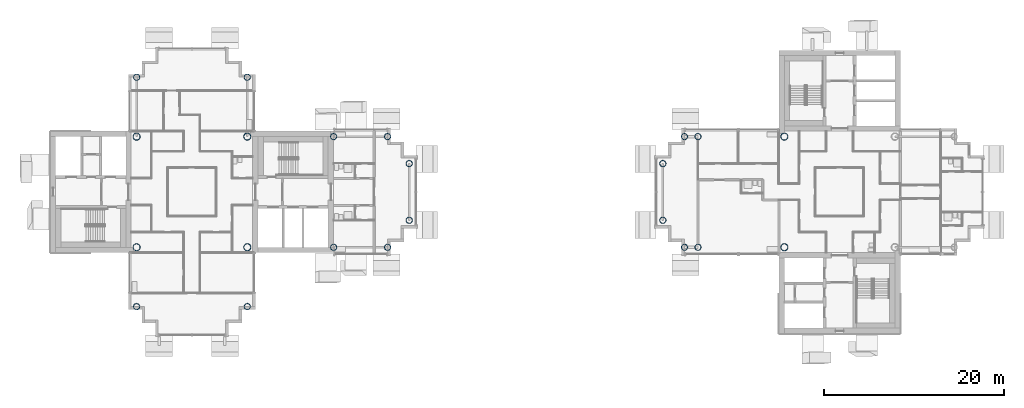
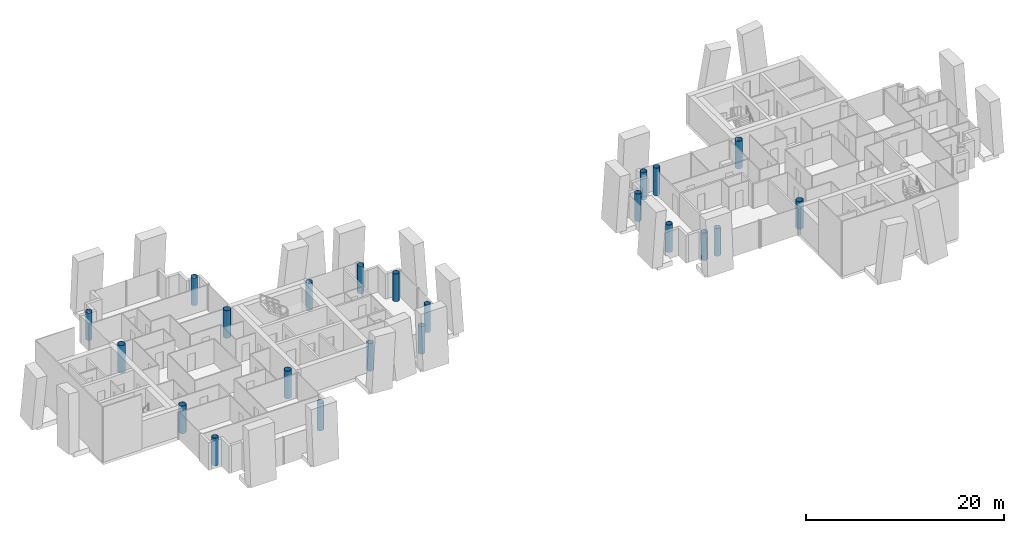
# One storey, part 1 of 19: 22 columns.
"""IFC4 building model written with IfcOpenShell, lengths in metres."""

import ifcopenshell
import ifcopenshell.guid

model = None  # the IFC model being written
_history = None  # IfcOwnerHistory: only IFC2X3 demands one
_inside = {}  # id of a spatial element -> (the spatial element, [elements in it])
_under = {}  # id of a project, library or spatial element -> (it, [spatial elements below it])
_declared = {}  # id of a project -> (the project, [libraries it declares])
_typed = {}  # id of a type object -> (the type object, [elements of that type])
_made_of = {}  # id of a material, layer set ... -> (it, [elements and type objects made of it])


def new_model(schema):
    """Start an empty IFC model of exactly this schema.

    Asked for "IFC4X3", IfcOpenShell would pick the latest addendum, in which some entities
    have other attributes; the version numbers below select the first issue.
    IFC2X3 requires an IfcOwnerHistory on every rooted entity: one is made here for all.
    """
    global model, _history
    if schema == "IFC4X3":
        model = ifcopenshell.file(schema_version=(4, 3, 0, 0))
    else:
        model = ifcopenshell.file(schema=schema)
    _inside.clear()
    _under.clear()
    _declared.clear()
    _typed.clear()
    _made_of.clear()
    _history = None
    if model.schema == "IFC2X3":
        org = make("IfcOrganization", Name="unknown")
        user = make(
            "IfcPersonAndOrganization",
            ThePerson=make("IfcPerson", FamilyName="unknown"),
            TheOrganization=org,
        )
        app = make(
            "IfcApplication",
            ApplicationDeveloper=org,
            Version="unknown",
            ApplicationFullName="unknown",
            ApplicationIdentifier="unknown",
        )
        _history = make(
            "IfcOwnerHistory",
            OwningUser=user,
            OwningApplication=app,
            ChangeAction="ADDED",
            CreationDate=0,
        )
    return model


def make(cls, **values):
    """One entity of the class cls with the attributes given. An attribute that is None is left unset."""
    return model.create_entity(
        cls, **{name: value for name, value in values.items() if value is not None}
    )


def rooted(cls, **values):
    """An entity with a GlobalId (a new one), such as an element, a storey or a relation."""
    return make(cls, GlobalId=ifcopenshell.guid.new(), OwnerHistory=_history, **values)


def si_unit(unit_type, name, prefix=None):
    """IfcSIUnit, for example si_unit("LENGTHUNIT", "METRE", prefix="MILLI")."""
    return make("IfcSIUnit", UnitType=unit_type, Prefix=prefix, Name=name)


def assignment(units):
    """IfcUnitAssignment: the units of a project."""
    return None if units is None else make("IfcUnitAssignment", Units=units)


def point(xyz):
    """IfcCartesianPoint."""
    return None if xyz is None else make("IfcCartesianPoint", Coordinates=xyz)


def direction(xyz):
    """IfcDirection."""
    return None if xyz is None else make("IfcDirection", DirectionRatios=xyz)


def frame(location, z_axis=None, x_axis=None):
    """IfcAxis2Placement3D, a coordinate frame: its origin and axes. An axis left out is left unset."""
    return make(
        "IfcAxis2Placement3D",
        Location=point(location),
        Axis=direction(z_axis),
        RefDirection=direction(x_axis),
    )


def frame_2d(location, x_axis=None):
    """IfcAxis2Placement2D, a coordinate frame in the plane: its origin and x axis."""
    return make(
        "IfcAxis2Placement2D", Location=point(location), RefDirection=direction(x_axis)
    )


def origin():
    """The frame at (0, 0, 0) with its axes left unset."""
    return frame((0.0, 0.0, 0.0))


def origin_2d():
    """The frame at (0, 0) in the plane with its x axis left unset."""
    return frame_2d((0.0, 0.0))


def place(relative_to, where):
    """IfcLocalPlacement: puts the frame where relative to a parent placement (None: the world)."""
    return make(
        "IfcLocalPlacement", PlacementRelTo=relative_to, RelativePlacement=where
    )


def context(
    kind, dimensions, precision=None, world=None, true_north=None, identifier=None
):
    """IfcGeometricRepresentationContext, for example the 3D "Model" context."""
    return make(
        "IfcGeometricRepresentationContext",
        ContextIdentifier=identifier,
        ContextType=kind,
        CoordinateSpaceDimension=dimensions,
        Precision=precision,
        WorldCoordinateSystem=world,
        TrueNorth=true_north,
    )


def subcontext(parent, identifier, kind, view, scale=None):
    """IfcGeometricRepresentationSubContext, for example "Body" below "Model"."""
    return make(
        "IfcGeometricRepresentationSubContext",
        ContextIdentifier=identifier,
        ContextType=kind,
        ParentContext=parent,
        TargetScale=scale,
        TargetView=view,
    )


def project(units=None, contexts=None):
    """IfcProject with its units and contexts."""
    return rooted(
        "IfcProject",
        Name="project",
        RepresentationContexts=contexts,
        UnitsInContext=assignment(units),
    )


def spatial(cls, under=None, at=None, **own):
    """A site, building, storey or space (cls), placed at a placement, below another one or the project."""
    s = rooted(cls, ObjectPlacement=at, **own)
    if under is not None:
        _under.setdefault(under.id(), (under, []))[1].append(s)
    return s


def profile(cls, at=None, kind="AREA", **sizes):
    """A parametric profile (cls). Its sizes go by their IFC names, for example OverallWidth=200.0."""
    return make(cls, ProfileType=kind, Position=at, **sizes)


def hollow_circle(**sizes):
    """IfcCircleHollowProfileDef."""
    return profile("IfcCircleHollowProfileDef", **sizes)


def extrude(swept, where, along, depth):
    """IfcExtrudedAreaSolid: the profile swept, set in the frame where, extruded along a direction by depth."""
    return make(
        "IfcExtrudedAreaSolid",
        SweptArea=swept,
        Position=where,
        ExtrudedDirection=direction(along),
        Depth=depth,
    )


def shape(context_of_items, identifier, shape_type, items):
    """IfcShapeRepresentation: the items that make up one representation, for example the "Body"."""
    return make(
        "IfcShapeRepresentation",
        ContextOfItems=context_of_items,
        RepresentationIdentifier=identifier,
        RepresentationType=shape_type,
        Items=items,
    )


def material(Name=None, Category=None):
    """IfcMaterial."""
    return make("IfcMaterial", Name=Name, Category=Category)


def material_profile(
    of_material, cross_section, Name=None, Category=None, Priority=None
):
    """IfcMaterialProfile: a cross section and its material."""
    return make(
        "IfcMaterialProfile",
        Name=Name,
        Material=of_material,
        Profile=cross_section,
        Priority=Priority,
        Category=Category,
    )


def profile_set(profiles, Name=None, composite=None):
    """IfcMaterialProfileSet."""
    return make(
        "IfcMaterialProfileSet",
        Name=Name,
        MaterialProfiles=profiles,
        CompositeProfile=composite,
    )


def made_of(thing, what):
    """Note that an element or type object is made of a material, layer set ...; save() writes the relation."""
    if what is not None:
        _made_of.setdefault(what.id(), (what, []))[1].append(thing)
    return thing


def type_object(cls, material=None, **own):
    """A type object (cls), such as IfcWallType, which elements share."""
    return made_of(rooted(cls, **own), material)


def element(
    cls,
    number,
    at=None,
    inside=None,
    cuts=None,
    type_object=None,
    material=None,
    context=None,
    identifier="Body",
    shape_type=None,
    held_by="IfcProductDefinitionShape",
    body=None,
    shapes=None,
    **own,
):
    """One element of the class cls, such as IfcWall. Its Tag is "e" and its number.

    at: its placement. inside: the storey or other place that contains it. cuts: it is an
    opening in that element (IfcRelVoidsElement). A single representation is given by context,
    identifier, shape_type and body (its items); several are given by shapes. held_by: the class
    of the entity that holds the representations. save() writes the other relations.
    """
    e = rooted(cls, Tag="e%d" % number, ObjectPlacement=at, **own)
    if body is not None:
        shapes = [shape(context, identifier, shape_type, body)]
    if shapes is not None:
        e.Representation = make(held_by, Representations=shapes)
    if inside is not None:
        _inside.setdefault(inside.id(), (inside, []))[1].append(e)
    if cuts is not None:
        rooted(
            "IfcRelVoidsElement", RelatingBuildingElement=cuts, RelatedOpeningElement=e
        )
    if type_object is not None:
        _typed.setdefault(type_object.id(), (type_object, []))[1].append(e)
    return made_of(e, material)


def aggregate(whole, parts):
    """IfcRelAggregates: a whole, such as a stair, and the parts it consists of."""
    return rooted("IfcRelAggregates", RelatingObject=whole, RelatedObjects=parts)


def save(model, path):
    """Write the relations noted so far, then the file.

    IfcRelAggregates (storeys below a building ...), IfcRelContainedInSpatialStructure (elements
    in a storey), IfcRelDefinesByType, IfcRelAssociatesMaterial and IfcRelDeclares: one each for
    every whole, place, type object, material and project.
    """
    for whole, parts in _under.values():
        aggregate(whole, parts)
    for where, things in _inside.values():
        rooted(
            "IfcRelContainedInSpatialStructure",
            RelatedElements=things,
            RelatingStructure=where,
        )
    for kind, things in _typed.values():
        rooted("IfcRelDefinesByType", RelatedObjects=things, RelatingType=kind)
    for what, things in _made_of.values():
        rooted("IfcRelAssociatesMaterial", RelatedObjects=things, RelatingMaterial=what)
    for by, libraries in _declared.values():
        rooted("IfcRelDeclares", RelatingContext=by, RelatedDefinitions=libraries)
    model.write(path)


model = new_model("IFC4")

# Units and contexts
model_context = context("Model", 3, precision=1e-05, world=origin(), true_north=direction((0.0, 1.0)))
body_context = subcontext(model_context, "Body", "Model", "MODEL_VIEW")
ifc_project = project(units=[si_unit("LENGTHUNIT", "METRE"), si_unit("AREAUNIT", "SQUARE_METRE"), si_unit("VOLUMEUNIT", "CUBIC_METRE"), si_unit("PLANEANGLEUNIT", "RADIAN"), si_unit("MASSUNIT", "GRAM", prefix="KILO")], contexts=[model_context])

# Site, building, storey
site_placement = place(None, origin())
site = spatial("IfcSite", under=ifc_project, at=site_placement, CompositionType="ELEMENT")
building_placement = place(site_placement, origin())
building = spatial("IfcBuilding", under=site, at=building_placement, Name="Ipe Terrace Towers", CompositionType="ELEMENT")
storey_placement = place(building_placement, frame((0.0, 0.0, 189.199951171875)))
storey = spatial("IfcBuildingStorey", under=building, at=storey_placement, Name="L52", CompositionType="ELEMENT", Elevation=189.199951171875)

# Columns
ifc_material_1 = material(Name="Steel S355 tube with Concrete C60/75 fill", Category="concrete")
ifc_material_profile_1 = material_profile(ifc_material_1, hollow_circle(Radius=0.35009765625, WallThickness=0.02490234375, at=origin_2d()), Name="CHS-700x25")
ifc_profile_set_1 = profile_set([ifc_material_profile_1], Name="Steel S355 tube with Concrete C60/75 fill")
column_type_1 = type_object("IfcColumnType", Name="CH08 COLUMN CHS-700x25", PredefinedType="COLUMN", material=ifc_profile_set_1)
for number, where, z_axis, x_axis, name in (
    (1, (-20.25, -6.14990234375, 0.0), (0.0, 0.0, 1.0), (1.0, 0.0, 0.0), "Column T1-C-A01"),
    (2, (-20.25, 6.14990234375, 0.0), (0.0, 0.0, 1.0), (1.0, 0.0, 0.0), "Column T1-C-A02"),
    (3, (-14.25, -6.14990234375, 0.0), (0.0, 0.0, 1.0), (1.0, 0.0, 0.0), "Column T1-C-A03"),
    (4, (-14.25, 6.14990234375, 0.0), (0.0, 0.0, 1.0), (1.0, 0.0, 0.0), "Column T1-C-A04"),
    (5, (-11.85009765625, -3.14990234375, 0.0), (0.0, 0.0, 1.0), (1.0, 0.0, 0.0), "Column T1-C-A05"),
    (6, (-11.85009765625, 3.14990234375, 0.0), (0.0, 0.0, 1.0), (1.0, 0.0, 0.0), "Column T1-C-A06"),
    (7, (-29.85009765625, 12.75, 0.0), (0.0, 0.0, 1.0), (1.0, 0.0, 0.0), "Column T1-C-B01"),
    (8, (-42.14990234375, 12.75, 0.0), (0.0, 0.0, 1.0), (1.0, 0.0, 0.0), "Column T1-C-B02"),
    (9, (-42.14990234375, -12.75, 0.0), (0.0, 0.0, 1.0), (1.0, 0.0, 0.0), "Column T1-C-D01"),
    (10, (-29.85009765625, -12.75, 0.0), (0.0, 0.0, 1.0), (1.0, 0.0, 0.0), "Column T1-C-D02"),
    (11, (20.25, 6.14990234375, 0.0), (0.0, 0.0, 1.0), (1.0, 0.0, 0.0), "Column T2-C-B03"),
    (12, (20.25, -6.14990234375, 0.0), (0.0, 0.0, 1.0), (1.0, 0.0, 0.0), "Column T2-C-B04"),
    (13, (18.75, 6.14990234375, 0.0), (0.0, 0.0, 1.0), (1.0, 0.0, 0.0), "Column T2-C-B05"),
    (14, (18.75, -6.14990234375, 0.0), (0.0, 0.0, 1.0), (1.0, 0.0, 0.0), "Column T2-C-B06"),
    (15, (16.35009765625, 3.14990234375, 0.0), (0.0, 0.0, 1.0), (1.0, 0.0, 0.0), "Column T2-C-B07"),
    (16, (16.35009765625, -3.14990234375, 0.0), (0.0, 0.0, 1.0), (1.0, 0.0, 0.0), "Column T2-C-B08"),
):
    element("IfcColumn", number, at=place(storey_placement, frame(where, z_axis=z_axis, x_axis=x_axis)), inside=storey, type_object=column_type_1, Name=name, PredefinedType="COLUMN", context=body_context, shape_type="SweptSolid", body=[
        extrude(hollow_circle(Radius=0.35009765625, WallThickness=0.02490234375, at=origin_2d()), origin(), (0.0, 0.0, 1.0), 3.400146484375),
    ])
ifc_material_2 = material(Name="Steel S355 tube with Concrete C60/75 fill", Category="concrete")
ifc_material_profile_2 = material_profile(ifc_material_2, hollow_circle(Radius=0.39990234375, WallThickness=0.028076171875, at=origin_2d()), Name="CHS-800x28")
ifc_profile_set_2 = profile_set([ifc_material_profile_2], Name="Steel S355 tube with Concrete C60/75 fill")
column_type_2 = type_object("IfcColumnType", Name="CH09 COLUMN CHS-800x28", PredefinedType="COLUMN", material=ifc_profile_set_2)
for number, where, z_axis, x_axis, name in (
    (17, (-42.14990234375, -6.14990234375, 0.0), (0.0, 0.0, 1.0), (1.0, 0.0, 0.0), "Column T1-C-E01"),
    (18, (-29.85009765625, -6.14990234375, 0.0), (0.0, 0.0, 1.0), (1.0, 0.0, 0.0), "Column T1-C-E02"),
    (19, (-29.85009765625, 6.14990234375, 0.0), (0.0, 0.0, 1.0), (1.0, 0.0, 0.0), "Column T1-C-E03"),
    (20, (-42.14990234375, 6.14990234375, 0.0), (0.0, 0.0, 1.0), (1.0, 0.0, 0.0), "Column T1-C-E04"),
    (21, (29.85009765625, 6.14990234375, 0.0), (0.0, 0.0, 1.0), (1.0, 0.0, 0.0), "Column T2-C-E03"),
    (22, (29.85009765625, -6.14990234375, 0.0), (0.0, 0.0, 1.0), (1.0, 0.0, 0.0), "Column T2-C-E04"),
):
    element("IfcColumn", number, at=place(storey_placement, frame(where, z_axis=z_axis, x_axis=x_axis)), inside=storey, type_object=column_type_2, Name=name, PredefinedType="COLUMN", context=body_context, shape_type="SweptSolid", body=[
        extrude(hollow_circle(Radius=0.39990234375, WallThickness=0.028076171875, at=origin_2d()), origin(), (0.0, 0.0, 1.0), 3.400146484375),
    ])

save(model, "model.ifc")
